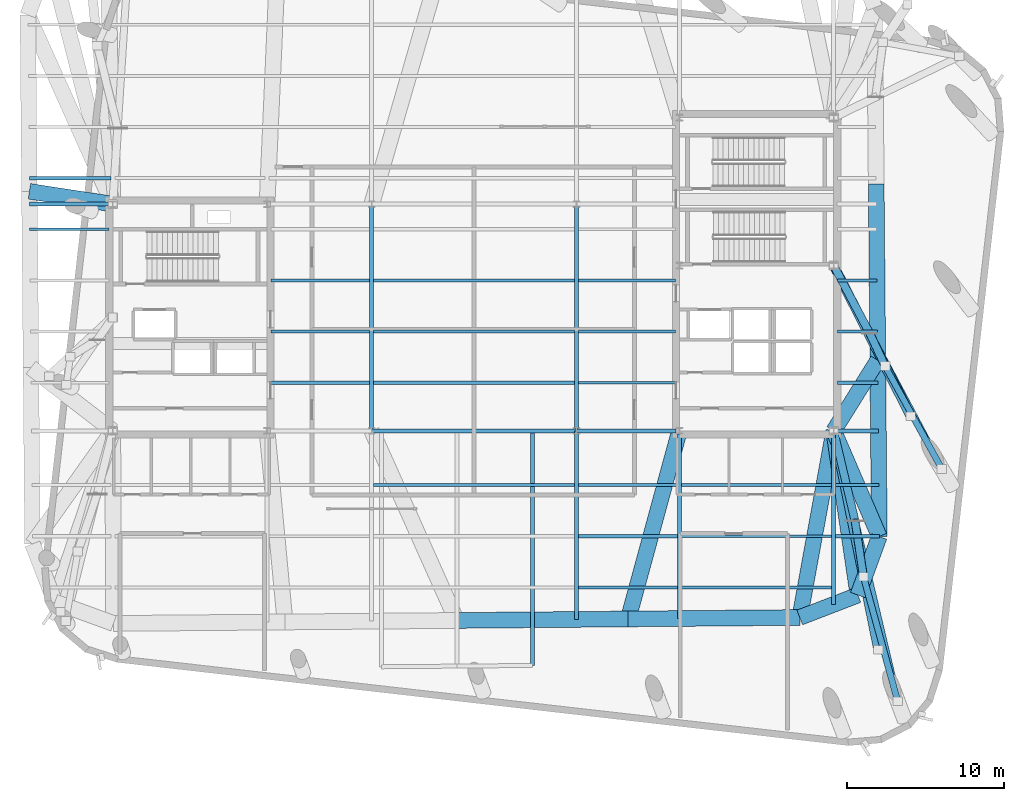
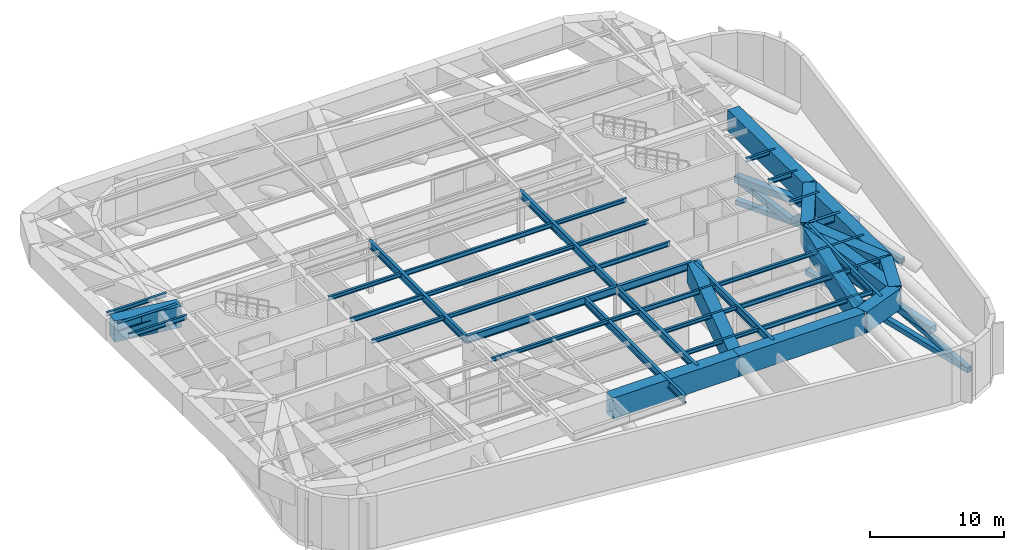
# One storey, part 4 of 12: 45 beams, 10 members.
"""IFC4 building model written with IfcOpenShell, lengths in metres."""

import ifcopenshell
import ifcopenshell.guid

model = None  # the IFC model being written
_history = None  # IfcOwnerHistory: only IFC2X3 demands one
_inside = {}  # id of a spatial element -> (the spatial element, [elements in it])
_under = {}  # id of a project, library or spatial element -> (it, [spatial elements below it])
_declared = {}  # id of a project -> (the project, [libraries it declares])
_typed = {}  # id of a type object -> (the type object, [elements of that type])
_made_of = {}  # id of a material, layer set ... -> (it, [elements and type objects made of it])


def new_model(schema):
    """Start an empty IFC model of exactly this schema.

    Asked for "IFC4X3", IfcOpenShell would pick the latest addendum, in which some entities
    have other attributes; the version numbers below select the first issue.
    IFC2X3 requires an IfcOwnerHistory on every rooted entity: one is made here for all.
    """
    global model, _history
    if schema == "IFC4X3":
        model = ifcopenshell.file(schema_version=(4, 3, 0, 0))
    else:
        model = ifcopenshell.file(schema=schema)
    _inside.clear()
    _under.clear()
    _declared.clear()
    _typed.clear()
    _made_of.clear()
    _history = None
    if model.schema == "IFC2X3":
        org = make("IfcOrganization", Name="unknown")
        user = make(
            "IfcPersonAndOrganization",
            ThePerson=make("IfcPerson", FamilyName="unknown"),
            TheOrganization=org,
        )
        app = make(
            "IfcApplication",
            ApplicationDeveloper=org,
            Version="unknown",
            ApplicationFullName="unknown",
            ApplicationIdentifier="unknown",
        )
        _history = make(
            "IfcOwnerHistory",
            OwningUser=user,
            OwningApplication=app,
            ChangeAction="ADDED",
            CreationDate=0,
        )
    return model


def make(cls, **values):
    """One entity of the class cls with the attributes given. An attribute that is None is left unset."""
    return model.create_entity(
        cls, **{name: value for name, value in values.items() if value is not None}
    )


def rooted(cls, **values):
    """An entity with a GlobalId (a new one), such as an element, a storey or a relation."""
    return make(cls, GlobalId=ifcopenshell.guid.new(), OwnerHistory=_history, **values)


def si_unit(unit_type, name, prefix=None):
    """IfcSIUnit, for example si_unit("LENGTHUNIT", "METRE", prefix="MILLI")."""
    return make("IfcSIUnit", UnitType=unit_type, Prefix=prefix, Name=name)


def assignment(units):
    """IfcUnitAssignment: the units of a project."""
    return None if units is None else make("IfcUnitAssignment", Units=units)


def point(xyz):
    """IfcCartesianPoint."""
    return None if xyz is None else make("IfcCartesianPoint", Coordinates=xyz)


def direction(xyz):
    """IfcDirection."""
    return None if xyz is None else make("IfcDirection", DirectionRatios=xyz)


def frame(location, z_axis=None, x_axis=None):
    """IfcAxis2Placement3D, a coordinate frame: its origin and axes. An axis left out is left unset."""
    return make(
        "IfcAxis2Placement3D",
        Location=point(location),
        Axis=direction(z_axis),
        RefDirection=direction(x_axis),
    )


def frame_2d(location, x_axis=None):
    """IfcAxis2Placement2D, a coordinate frame in the plane: its origin and x axis."""
    return make(
        "IfcAxis2Placement2D", Location=point(location), RefDirection=direction(x_axis)
    )


def origin():
    """The frame at (0, 0, 0) with its axes left unset."""
    return frame((0.0, 0.0, 0.0))


def origin_2d():
    """The frame at (0, 0) in the plane with its x axis left unset."""
    return frame_2d((0.0, 0.0))


def place(relative_to, where):
    """IfcLocalPlacement: puts the frame where relative to a parent placement (None: the world)."""
    return make(
        "IfcLocalPlacement", PlacementRelTo=relative_to, RelativePlacement=where
    )


def context(
    kind, dimensions, precision=None, world=None, true_north=None, identifier=None
):
    """IfcGeometricRepresentationContext, for example the 3D "Model" context."""
    return make(
        "IfcGeometricRepresentationContext",
        ContextIdentifier=identifier,
        ContextType=kind,
        CoordinateSpaceDimension=dimensions,
        Precision=precision,
        WorldCoordinateSystem=world,
        TrueNorth=true_north,
    )


def subcontext(parent, identifier, kind, view, scale=None):
    """IfcGeometricRepresentationSubContext, for example "Body" below "Model"."""
    return make(
        "IfcGeometricRepresentationSubContext",
        ContextIdentifier=identifier,
        ContextType=kind,
        ParentContext=parent,
        TargetScale=scale,
        TargetView=view,
    )


def project(units=None, contexts=None):
    """IfcProject with its units and contexts."""
    return rooted(
        "IfcProject",
        Name="project",
        RepresentationContexts=contexts,
        UnitsInContext=assignment(units),
    )


def spatial(cls, under=None, at=None, **own):
    """A site, building, storey or space (cls), placed at a placement, below another one or the project."""
    s = rooted(cls, ObjectPlacement=at, **own)
    if under is not None:
        _under.setdefault(under.id(), (under, []))[1].append(s)
    return s


def profile(cls, at=None, kind="AREA", **sizes):
    """A parametric profile (cls). Its sizes go by their IFC names, for example OverallWidth=200.0."""
    return make(cls, ProfileType=kind, Position=at, **sizes)


def hollow_rectangle(**sizes):
    """IfcRectangleHollowProfileDef."""
    return profile("IfcRectangleHollowProfileDef", **sizes)


def hollow_circle(**sizes):
    """IfcCircleHollowProfileDef."""
    return profile("IfcCircleHollowProfileDef", **sizes)


def i_section(**sizes):
    """IfcIShapeProfileDef."""
    return profile("IfcIShapeProfileDef", **sizes)


def extrude(swept, where, along, depth):
    """IfcExtrudedAreaSolid: the profile swept, set in the frame where, extruded along a direction by depth."""
    return make(
        "IfcExtrudedAreaSolid",
        SweptArea=swept,
        Position=where,
        ExtrudedDirection=direction(along),
        Depth=depth,
    )


def shape(context_of_items, identifier, shape_type, items):
    """IfcShapeRepresentation: the items that make up one representation, for example the "Body"."""
    return make(
        "IfcShapeRepresentation",
        ContextOfItems=context_of_items,
        RepresentationIdentifier=identifier,
        RepresentationType=shape_type,
        Items=items,
    )


def material(Name=None, Category=None):
    """IfcMaterial."""
    return make("IfcMaterial", Name=Name, Category=Category)


def material_profile(
    of_material, cross_section, Name=None, Category=None, Priority=None
):
    """IfcMaterialProfile: a cross section and its material."""
    return make(
        "IfcMaterialProfile",
        Name=Name,
        Material=of_material,
        Profile=cross_section,
        Priority=Priority,
        Category=Category,
    )


def profile_set(profiles, Name=None, composite=None):
    """IfcMaterialProfileSet."""
    return make(
        "IfcMaterialProfileSet",
        Name=Name,
        MaterialProfiles=profiles,
        CompositeProfile=composite,
    )


def made_of(thing, what):
    """Note that an element or type object is made of a material, layer set ...; save() writes the relation."""
    if what is not None:
        _made_of.setdefault(what.id(), (what, []))[1].append(thing)
    return thing


def type_object(cls, material=None, **own):
    """A type object (cls), such as IfcWallType, which elements share."""
    return made_of(rooted(cls, **own), material)


def element(
    cls,
    number,
    at=None,
    inside=None,
    cuts=None,
    type_object=None,
    material=None,
    context=None,
    identifier="Body",
    shape_type=None,
    held_by="IfcProductDefinitionShape",
    body=None,
    shapes=None,
    **own,
):
    """One element of the class cls, such as IfcWall. Its Tag is "e" and its number.

    at: its placement. inside: the storey or other place that contains it. cuts: it is an
    opening in that element (IfcRelVoidsElement). A single representation is given by context,
    identifier, shape_type and body (its items); several are given by shapes. held_by: the class
    of the entity that holds the representations. save() writes the other relations.
    """
    e = rooted(cls, Tag="e%d" % number, ObjectPlacement=at, **own)
    if body is not None:
        shapes = [shape(context, identifier, shape_type, body)]
    if shapes is not None:
        e.Representation = make(held_by, Representations=shapes)
    if inside is not None:
        _inside.setdefault(inside.id(), (inside, []))[1].append(e)
    if cuts is not None:
        rooted(
            "IfcRelVoidsElement", RelatingBuildingElement=cuts, RelatedOpeningElement=e
        )
    if type_object is not None:
        _typed.setdefault(type_object.id(), (type_object, []))[1].append(e)
    return made_of(e, material)


def aggregate(whole, parts):
    """IfcRelAggregates: a whole, such as a stair, and the parts it consists of."""
    return rooted("IfcRelAggregates", RelatingObject=whole, RelatedObjects=parts)


def save(model, path):
    """Write the relations noted so far, then the file.

    IfcRelAggregates (storeys below a building ...), IfcRelContainedInSpatialStructure (elements
    in a storey), IfcRelDefinesByType, IfcRelAssociatesMaterial and IfcRelDeclares: one each for
    every whole, place, type object, material and project.
    """
    for whole, parts in _under.values():
        aggregate(whole, parts)
    for where, things in _inside.values():
        rooted(
            "IfcRelContainedInSpatialStructure",
            RelatedElements=things,
            RelatingStructure=where,
        )
    for kind, things in _typed.values():
        rooted("IfcRelDefinesByType", RelatedObjects=things, RelatingType=kind)
    for what, things in _made_of.values():
        rooted("IfcRelAssociatesMaterial", RelatedObjects=things, RelatingMaterial=what)
    for by, libraries in _declared.values():
        rooted("IfcRelDeclares", RelatingContext=by, RelatedDefinitions=libraries)
    model.write(path)


model = new_model("IFC4")

# Units and contexts
model_context = context("Model", 3, precision=1e-05, world=origin(), true_north=direction((0.0, 1.0)))
body_context = subcontext(model_context, "Body", "Model", "MODEL_VIEW")
ifc_project = project(units=[si_unit("LENGTHUNIT", "METRE"), si_unit("AREAUNIT", "SQUARE_METRE"), si_unit("VOLUMEUNIT", "CUBIC_METRE"), si_unit("PLANEANGLEUNIT", "RADIAN"), si_unit("MASSUNIT", "GRAM", prefix="KILO")], contexts=[model_context])

# Site, building, storey
site_placement = place(None, origin())
site = spatial("IfcSite", under=ifc_project, at=site_placement, CompositionType="ELEMENT")
building_placement = place(site_placement, origin())
building = spatial("IfcBuilding", under=site, at=building_placement, Name="Kolvaren Arena Tower", CompositionType="ELEMENT")
storey_placement = place(building_placement, frame((0.0, 0.0, 269.699951171875)))
storey = spatial("IfcBuildingStorey", under=building, at=storey_placement, Name="L66", CompositionType="ELEMENT", Elevation=269.699951171875)

# Beams
ifc_material_1 = material(Name="Steel CSA G40.21 350W", Category="steel")
ifc_material_profile_1 = material_profile(ifc_material_1, i_section(OverallWidth=0.180908203125, OverallDepth=0.4169921875, WebThickness=0.010986328125, FlangeThickness=0.018310546875, FilletRadius=0.011962890625, at=origin_2d()), Name="W410x85")
ifc_profile_set_1 = profile_set([ifc_material_profile_1], Name="Steel CSA G40.21 350W")
beam_type_1 = type_object("IfcBeamType", Name="BEAM-F3", PredefinedType="BEAM", material=ifc_profile_set_1)
for number, where, z_axis, x_axis, name in (
    (1, (50.677490234375, 9.5, 4.54150390625), (1.0, 0.0, 0.0), (0.0, 1.0, 0.0), "Composite Floor Beam (L66)"),
    (2, (50.677490234375, 12.75, 4.54150390625), (1.0, 0.0, 0.0), (0.0, 1.0, 0.0), "Composite Floor Beam (L66)"),
):
    element("IfcBeam", number, at=place(storey_placement, frame(where, z_axis=z_axis, x_axis=x_axis)), inside=storey, type_object=beam_type_1, Name=name, PredefinedType="BEAM", context=body_context, shape_type="SweptSolid", body=[
        extrude(i_section(OverallWidth=0.180908203125, OverallDepth=0.4169921875, WebThickness=0.010986328125, FlangeThickness=0.018310546875, FilletRadius=0.011962890625, at=origin_2d()), origin(), (0.0, 0.0, 1.0), 9.544921875),
    ])
beam_1_placement = place(storey_placement, frame((44.12744140625, 16.0, 4.54150390625), z_axis=(1.0, 0.0, 0.0), x_axis=(0.0, 1.0, 0.0)))
element("IfcBeam", 3, at=beam_1_placement, inside=storey, type_object=beam_type_1, Name="Composite Floor Beam (L66)", PredefinedType="BEAM", context=body_context, shape_type="SweptSolid", body=[
    extrude(i_section(OverallWidth=0.180908203125, OverallDepth=0.4169921875, WebThickness=0.010986328125, FlangeThickness=0.018310546875, FilletRadius=0.011962890625, at=origin_2d()), origin(), (0.0, 0.0, 1.0), 6.295166015625),
])
beam_2_placement = place(storey_placement, frame((44.12744140625, 22.5, 4.54150390625), z_axis=(1.0, 0.0, 0.0), x_axis=(0.0, 1.0, 0.0)))
element("IfcBeam", 4, at=beam_2_placement, inside=storey, type_object=beam_type_1, Name="Composite Floor Beam (L66)", PredefinedType="BEAM", context=body_context, shape_type="SweptSolid", body=[
    extrude(i_section(OverallWidth=0.180908203125, OverallDepth=0.4169921875, WebThickness=0.010986328125, FlangeThickness=0.018310546875, FilletRadius=0.011962890625, at=origin_2d()), origin(), (0.0, 0.0, 1.0), 6.177490234375),
])
beam_3_placement = place(storey_placement, frame((24.594970703125, 25.75, 4.54150390625), z_axis=(1.0, 0.0, 0.0), x_axis=(0.0, 1.0, 0.0)))
element("IfcBeam", 5, at=beam_3_placement, inside=storey, type_object=beam_type_1, Name="Composite Floor Beam (L66)", PredefinedType="BEAM", context=body_context, shape_type="SweptSolid", body=[
    extrude(i_section(OverallWidth=0.180908203125, OverallDepth=0.4169921875, WebThickness=0.010986328125, FlangeThickness=0.018310546875, FilletRadius=0.011962890625, at=origin_2d()), origin(), (0.0, 0.0, 1.0), 6.277587890625),
])
beam_4_placement = place(storey_placement, frame((60.594970703125, 25.75, 4.54150390625), z_axis=(1.0, 0.0, 0.0), x_axis=(0.0, 1.0, 0.0)))
element("IfcBeam", 6, at=beam_4_placement, inside=storey, type_object=beam_type_1, Name="Composite Floor Beam (L66)", PredefinedType="BEAM", context=body_context, shape_type="SweptSolid", body=[
    extrude(i_section(OverallWidth=0.180908203125, OverallDepth=0.4169921875, WebThickness=0.010986328125, FlangeThickness=0.018310546875, FilletRadius=0.011962890625, at=origin_2d()), origin(), (0.0, 0.0, 1.0), 2.537109375),
])
beam_5_placement = place(storey_placement, frame((31.12744140625, 29.0, 4.54150390625), z_axis=(1.0, 0.0, 0.0), x_axis=(0.0, 1.0, 0.0)))
element("IfcBeam", 7, at=beam_5_placement, inside=storey, type_object=beam_type_1, Name="Composite Floor Beam (L66)", PredefinedType="BEAM", context=body_context, shape_type="SweptSolid", body=[
    extrude(i_section(OverallWidth=0.180908203125, OverallDepth=0.4169921875, WebThickness=0.010986328125, FlangeThickness=0.018310546875, FilletRadius=0.011962890625, at=origin_2d()), origin(), (0.0, 0.0, 1.0), 12.7451171875),
])
beam_6_placement = place(storey_placement, frame((9.273193359375, 32.25, 4.54150390625), z_axis=(1.0, 0.0, 0.0), x_axis=(0.0, 1.0, 0.0)))
element("IfcBeam", 8, at=beam_6_placement, inside=storey, type_object=beam_type_1, Name="Composite Floor Beam (L66)", PredefinedType="BEAM", context=body_context, shape_type="SweptSolid", body=[
    extrude(i_section(OverallWidth=0.180908203125, OverallDepth=0.4169921875, WebThickness=0.010986328125, FlangeThickness=0.018310546875, FilletRadius=0.011962890625, at=origin_2d()), origin(), (0.0, 0.0, 1.0), 5.03173828125),
])

# Members
ifc_material_2 = material(Name="Steel CSA G40.21 350WT", Category="steel")
ifc_material_profile_2 = material_profile(ifc_material_2, hollow_rectangle(XDim=0.449951171875, YDim=0.449951171875, WallThickness=0.02001953125, at=origin_2d()), Name="HSS 450x450x20")
ifc_profile_set_2 = profile_set([ifc_material_profile_2], Name="Steel CSA G40.21 350WT")
member_type_1 = type_object("IfcMemberType", Name="BELT-CHORD", PredefinedType="CHORD", material=ifc_profile_set_2)
member_1_placement = place(storey_placement, frame((60.35009765625, 19.449951171875, 0.35009765625), z_axis=(0.230134784583, -0.973158764501, 0.0), x_axis=(0.973158764501, 0.230134784583, 0.0)))
element("IfcMember", 9, at=member_1_placement, inside=storey, type_object=member_type_1, Name="Belt Truss Bottom Chord 3 (L66)", PredefinedType="CHORD", context=body_context, shape_type="SweptSolid", body=[
    extrude(hollow_rectangle(XDim=0.449951171875, YDim=0.449951171875, WallThickness=0.02001953125, at=origin_2d()), origin(), (0.0, 0.0, 1.0), 17.6494140625),
])
member_2_placement = place(storey_placement, frame((60.35009765625, 29.949951171875, 0.35009765625), z_axis=(0.469300349704, -0.883038607179, 0.0), x_axis=(0.883038607179, 0.469300349704, 0.0)))
element("IfcMember", 10, at=member_2_placement, inside=storey, type_object=member_type_1, Name="Belt Truss Bottom Chord 6 (L66)", PredefinedType="CHORD", context=body_context, shape_type="SweptSolid", body=[
    extrude(hollow_rectangle(XDim=0.449951171875, YDim=0.449951171875, WallThickness=0.02001953125, at=origin_2d()), origin(), (0.0, 0.0, 1.0), 14.636474609375),
])
ifc_material_profile_3 = material_profile(ifc_material_2, hollow_rectangle(XDim=0.39990234375, YDim=0.39990234375, WallThickness=0.01611328125, at=origin_2d()), Name="HSS 400x400x16")
ifc_profile_set_3 = profile_set([ifc_material_profile_3], Name="Steel CSA G40.21 350WT")
member_type_2 = type_object("IfcMemberType", Name="BELT-DIAG", PredefinedType="BRACE", material=ifc_profile_set_3)
member_3_placement = place(storey_placement, frame((62.242919921875, 10.1748046875, 2.47998046875), z_axis=(0.256216983833, -0.933300069094, -0.25160254018), x_axis=(0.964321673153, 0.26473328217, 0.0)))
element("IfcMember", 11, at=member_3_placement, inside=storey, type_object=member_type_2, Name="Belt Truss Warren Diagonal C 3 (L66)", PredefinedType="BRACE", context=body_context, shape_type="SweptSolid", body=[
    extrude(hollow_rectangle(XDim=0.39990234375, YDim=0.39990234375, WallThickness=0.01611328125, at=origin_2d()), origin(), (0.0, 0.0, 1.0), 8.46533203125),
])
member_4_placement = place(storey_placement, frame((63.615478515625, 23.5634765625, 2.47998046875), z_axis=(0.464175231481, -0.842182432185, -0.274353978282), x_axis=(0.875787473245, 0.482696904597, 0.0)))
element("IfcMember", 12, at=member_4_placement, inside=storey, type_object=member_type_2, Name="Belt Truss Warren Diagonal C 6 (L66)", PredefinedType="BRACE", context=body_context, shape_type="SweptSolid", body=[
    extrude(hollow_rectangle(XDim=0.39990234375, YDim=0.39990234375, WallThickness=0.01611328125, at=origin_2d()), origin(), (0.0, 0.0, 1.0), 7.76318359375),
])
ifc_material_profile_4 = material_profile(ifc_material_2, hollow_circle(Radius=0.25390625, WallThickness=0.02490234375, at=origin_2d()), Name="CHS 508x25")
ifc_profile_set_4 = profile_set([ifc_material_profile_4], Name="Steel CSA G40.21 350WT")
member_type_3 = type_object("IfcMemberType", Name="EXO-BRACE1", PredefinedType="BRACE", material=ifc_profile_set_4)
member_5_placement = place(storey_placement, frame((61.7041015625, 13.724609375, 0.35009765625), z_axis=(0.12906860358, -0.850320569122, 0.510192341473), x_axis=(0.988675488767, 0.150069243721, 0.0)))
element("IfcMember", 13, at=member_5_placement, inside=storey, type_object=member_type_3, Name="Outrigger Warren Diagonal B 3 (L66)", PredefinedType="BRACE", context=body_context, shape_type="SweptSolid", body=[
    extrude(hollow_circle(Radius=0.25390625, WallThickness=0.02490234375, at=origin_2d()), origin(), (0.0, 0.0, 1.0), 4.174560546875),
])
member_6_placement = place(storey_placement, frame((62.6396484375, 25.641845703125, 0.35009765625), z_axis=(0.311586146159, -0.663630938766, 0.680079444355), x_axis=(0.905191866445, 0.42500315872, 0.0)))
element("IfcMember", 14, at=member_6_placement, inside=storey, type_object=member_type_3, Name="Outrigger Warren Diagonal B 6 (L66)", PredefinedType="BRACE", context=body_context, shape_type="SweptSolid", body=[
    extrude(hollow_circle(Radius=0.25390625, WallThickness=0.02490234375, at=origin_2d()), origin(), (0.0, 0.0, 1.0), 3.1318359375),
])

# Beams
ifc_material_profile_5 = material_profile(ifc_material_1, i_section(OverallWidth=0.2548828125, OverallDepth=0.695068359375, WebThickness=0.01708984375, FlangeThickness=0.02978515625, FilletRadius=0.01611328125, at=origin_2d()), Name="W690x217")
ifc_profile_set_5 = profile_set([ifc_material_profile_5], Name="Steel CSA G40.21 350W")
beam_type_2 = type_object("IfcBeamType", Name="GIRD-T2", PredefinedType="BEAM", material=ifc_profile_set_5)
beam_7_placement = place(storey_placement, frame((31.0, 19.449951171875, 4.402587890625), z_axis=(1.0, 0.0, 0.0), x_axis=(0.0, 1.0, 0.0)))
element("IfcBeam", 15, at=beam_7_placement, inside=storey, type_object=beam_type_2, Name="Primary Floor Girder (L66)", PredefinedType="BEAM", context=body_context, shape_type="SweptSolid", body=[
    extrude(i_section(OverallWidth=0.2548828125, OverallDepth=0.695068359375, WebThickness=0.01708984375, FlangeThickness=0.02978515625, FilletRadius=0.01611328125, at=origin_2d()), origin(), (0.0, 0.0, 1.0), 13.0),
])
beam_8_placement = place(storey_placement, frame((44.0, 19.449951171875, 4.402587890625), z_axis=(1.0, 0.0, 0.0), x_axis=(0.0, 1.0, 0.0)))
element("IfcBeam", 16, at=beam_8_placement, inside=storey, type_object=beam_type_2, Name="Primary Floor Girder (L66)", PredefinedType="BEAM", context=body_context, shape_type="SweptSolid", body=[
    extrude(i_section(OverallWidth=0.2548828125, OverallDepth=0.695068359375, WebThickness=0.01708984375, FlangeThickness=0.02978515625, FilletRadius=0.01611328125, at=origin_2d()), origin(), (0.0, 0.0, 1.0), 6.344970703125),
])
beam_9_placement = place(storey_placement, frame((60.554931640625, 19.449951171875, 4.402587890625), z_axis=(1.0, 0.0, 0.0), x_axis=(0.0, 1.0, 0.0)))
element("IfcBeam", 17, at=beam_9_placement, inside=storey, type_object=beam_type_2, Name="Primary Floor Girder (L66)", PredefinedType="BEAM", context=body_context, shape_type="SweptSolid", body=[
    extrude(i_section(OverallWidth=0.2548828125, OverallDepth=0.695068359375, WebThickness=0.01708984375, FlangeThickness=0.02978515625, FilletRadius=0.01611328125, at=origin_2d()), origin(), (0.0, 0.0, 1.0), 2.632080078125),
])
beam_10_placement = place(storey_placement, frame((9.25927734375, 33.85009765625, 4.402587890625), z_axis=(1.0, 0.0, 0.0), x_axis=(0.0, 1.0, 0.0)))
element("IfcBeam", 18, at=beam_10_placement, inside=storey, type_object=beam_type_2, Name="Primary Floor Girder (L66)", PredefinedType="BEAM", context=body_context, shape_type="SweptSolid", body=[
    extrude(i_section(OverallWidth=0.2548828125, OverallDepth=0.695068359375, WebThickness=0.01708984375, FlangeThickness=0.02978515625, FilletRadius=0.01611328125, at=origin_2d()), origin(), (0.0, 0.0, 1.0), 5.085693359375),
])
beam_11_placement = place(storey_placement, frame((31.0, 19.449951171875, 4.402587890625), z_axis=(0.0, 1.0, 0.0), x_axis=(-1.0, 0.0, 0.0)))
element("IfcBeam", 19, at=beam_11_placement, inside=storey, type_object=beam_type_2, Name="Primary Floor Girder (L66)", PredefinedType="BEAM", context=body_context, shape_type="SweptSolid", body=[
    extrude(i_section(OverallWidth=0.2548828125, OverallDepth=0.695068359375, WebThickness=0.01708984375, FlangeThickness=0.02978515625, FilletRadius=0.01611328125, at=origin_2d()), origin(), (0.0, 0.0, 1.0), 14.400146484375),
])
beam_12_placement = place(storey_placement, frame((44.0, 7.46728515625, 4.402587890625), z_axis=(0.0, 1.0, 0.0), x_axis=(-1.0, 0.0, 0.0)))
element("IfcBeam", 20, at=beam_12_placement, inside=storey, type_object=beam_type_2, Name="Primary Floor Girder (L66)", PredefinedType="BEAM", context=body_context, shape_type="SweptSolid", body=[
    extrude(i_section(OverallWidth=0.2548828125, OverallDepth=0.695068359375, WebThickness=0.01708984375, FlangeThickness=0.02978515625, FilletRadius=0.01611328125, at=origin_2d()), origin(), (0.0, 0.0, 1.0), 11.982666015625),
])
beam_13_placement = place(storey_placement, frame((44.0, 19.449951171875, 4.402587890625), z_axis=(0.0, 1.0, 0.0), x_axis=(-1.0, 0.0, 0.0)))
element("IfcBeam", 21, at=beam_13_placement, inside=storey, type_object=beam_type_2, Name="Primary Floor Girder (L66)", PredefinedType="BEAM", context=body_context, shape_type="SweptSolid", body=[
    extrude(i_section(OverallWidth=0.2548828125, OverallDepth=0.695068359375, WebThickness=0.01708984375, FlangeThickness=0.02978515625, FilletRadius=0.01611328125, at=origin_2d()), origin(), (0.0, 0.0, 1.0), 14.400146484375),
])
beam_14_placement = place(storey_placement, frame((50.550048828125, 7.5244140625, 4.402587890625), z_axis=(0.0, 1.0, 0.0), x_axis=(-1.0, 0.0, 0.0)))
element("IfcBeam", 22, at=beam_14_placement, inside=storey, type_object=beam_type_2, Name="Primary Floor Girder (L66)", PredefinedType="BEAM", context=body_context, shape_type="SweptSolid", body=[
    extrude(i_section(OverallWidth=0.2548828125, OverallDepth=0.695068359375, WebThickness=0.01708984375, FlangeThickness=0.02978515625, FilletRadius=0.01611328125, at=origin_2d()), origin(), (0.0, 0.0, 1.0), 11.720703125),
])
beam_15_placement = place(storey_placement, frame((60.35009765625, 8.4228515625, 4.402587890625), z_axis=(0.0, 1.0, 0.0), x_axis=(-1.0, 0.0, 0.0)))
element("IfcBeam", 23, at=beam_15_placement, inside=storey, type_object=beam_type_2, Name="Primary Floor Girder (L66)", PredefinedType="BEAM", context=body_context, shape_type="SweptSolid", body=[
    extrude(i_section(OverallWidth=0.2548828125, OverallDepth=0.695068359375, WebThickness=0.01708984375, FlangeThickness=0.02978515625, FilletRadius=0.01611328125, at=origin_2d()), origin(), (0.0, 0.0, 1.0), 10.822265625),
])
beam_16_placement = place(storey_placement, frame((41.21630859375, 19.449951171875, 4.402587890625), z_axis=(0.0, -1.0, 0.0), x_axis=(1.0, 0.0, 0.0)))
element("IfcBeam", 24, at=beam_16_placement, inside=storey, type_object=beam_type_2, Name="Terrace Cantilever Support Girder (L67)", PredefinedType="BEAM", context=body_context, shape_type="SweptSolid", body=[
    extrude(i_section(OverallWidth=0.2548828125, OverallDepth=0.695068359375, WebThickness=0.01708984375, FlangeThickness=0.02978515625, FilletRadius=0.01611328125, at=origin_2d()), origin(), (0.0, 0.0, 1.0), 14.9072265625),
])
ifc_material_profile_6 = material_profile(ifc_material_1, i_section(OverallWidth=0.202880859375, OverallDepth=0.346923828125, WebThickness=0.0078125, FlangeThickness=0.013427734375, FilletRadius=0.010986328125, at=origin_2d()), Name="W360x64")
ifc_profile_set_6 = profile_set([ifc_material_profile_6], Name="Steel CSA G40.21 350W")
beam_type_3 = type_object("IfcBeamType", Name="JOIST-01", PredefinedType="JOIST", material=ifc_profile_set_6)
for number, where, z_axis, x_axis, name in (
    (25, (44.12744140625, 9.5, 4.57666015625), (1.0, 0.0, 0.0), (0.0, 1.0, 0.0), "Composite Floor Joist (L66)"),
    (26, (44.12744140625, 12.75, 4.57666015625), (1.0, 0.0, 0.0), (0.0, 1.0, 0.0), "Composite Floor Joist (L66)"),
):
    element("IfcBeam", number, at=place(storey_placement, frame(where, z_axis=z_axis, x_axis=x_axis)), inside=storey, type_object=beam_type_3, Name=name, PredefinedType="JOIST", context=body_context, shape_type="SweptSolid", body=[
        extrude(i_section(OverallWidth=0.202880859375, OverallDepth=0.346923828125, WebThickness=0.0078125, FlangeThickness=0.013427734375, FilletRadius=0.010986328125, at=origin_2d()), origin(), (0.0, 0.0, 1.0), 6.295166015625),
    ])
beam_17_placement = place(storey_placement, frame((60.4775390625, 12.75, 4.57666015625), z_axis=(1.0, 0.0, 0.0), x_axis=(0.0, 1.0, 0.0)))
element("IfcBeam", 27, at=beam_17_placement, inside=storey, type_object=beam_type_3, Name="Composite Floor Joist (L66)", PredefinedType="JOIST", context=body_context, shape_type="SweptSolid", body=[
    extrude(i_section(OverallWidth=0.202880859375, OverallDepth=0.346923828125, WebThickness=0.0078125, FlangeThickness=0.013427734375, FilletRadius=0.010986328125, at=origin_2d()), origin(), (0.0, 0.0, 1.0), 2.76806640625),
])
beam_18_placement = place(storey_placement, frame((31.12744140625, 16.0, 4.57666015625), z_axis=(1.0, 0.0, 0.0), x_axis=(0.0, 1.0, 0.0)))
element("IfcBeam", 28, at=beam_18_placement, inside=storey, type_object=beam_type_3, Name="Composite Floor Joist (L66)", PredefinedType="JOIST", context=body_context, shape_type="SweptSolid", body=[
    extrude(i_section(OverallWidth=0.202880859375, OverallDepth=0.346923828125, WebThickness=0.0078125, FlangeThickness=0.013427734375, FilletRadius=0.010986328125, at=origin_2d()), origin(), (0.0, 0.0, 1.0), 12.7451171875),
])
beam_19_placement = place(storey_placement, frame((50.677490234375, 16.0, 4.57666015625), z_axis=(1.0, 0.0, 0.0), x_axis=(0.0, 1.0, 0.0)))
element("IfcBeam", 29, at=beam_19_placement, inside=storey, type_object=beam_type_3, Name="Composite Floor Joist (L66)", PredefinedType="JOIST", context=body_context, shape_type="SweptSolid", body=[
    extrude(i_section(OverallWidth=0.202880859375, OverallDepth=0.346923828125, WebThickness=0.0078125, FlangeThickness=0.013427734375, FilletRadius=0.010986328125, at=origin_2d()), origin(), (0.0, 0.0, 1.0), 9.544921875),
])
beam_20_placement = place(storey_placement, frame((60.4775390625, 16.0, 4.57666015625), z_axis=(1.0, 0.0, 0.0), x_axis=(0.0, 1.0, 0.0)))
element("IfcBeam", 30, at=beam_20_placement, inside=storey, type_object=beam_type_3, Name="Composite Floor Joist (L66)", PredefinedType="JOIST", context=body_context, shape_type="SweptSolid", body=[
    extrude(i_section(OverallWidth=0.202880859375, OverallDepth=0.346923828125, WebThickness=0.0078125, FlangeThickness=0.013427734375, FilletRadius=0.010986328125, at=origin_2d()), origin(), (0.0, 0.0, 1.0), 2.739501953125),
])
beam_21_placement = place(storey_placement, frame((24.594970703125, 22.5, 4.57666015625), z_axis=(1.0, 0.0, 0.0), x_axis=(0.0, 1.0, 0.0)))
element("IfcBeam", 31, at=beam_21_placement, inside=storey, type_object=beam_type_3, Name="Composite Floor Joist (L66)", PredefinedType="JOIST", context=body_context, shape_type="SweptSolid", body=[
    extrude(i_section(OverallWidth=0.202880859375, OverallDepth=0.346923828125, WebThickness=0.0078125, FlangeThickness=0.013427734375, FilletRadius=0.010986328125, at=origin_2d()), origin(), (0.0, 0.0, 1.0), 6.277587890625),
])
beam_22_placement = place(storey_placement, frame((31.12744140625, 22.5, 4.57666015625), z_axis=(1.0, 0.0, 0.0), x_axis=(0.0, 1.0, 0.0)))
element("IfcBeam", 32, at=beam_22_placement, inside=storey, type_object=beam_type_3, Name="Composite Floor Joist (L66)", PredefinedType="JOIST", context=body_context, shape_type="SweptSolid", body=[
    extrude(i_section(OverallWidth=0.202880859375, OverallDepth=0.346923828125, WebThickness=0.0078125, FlangeThickness=0.013427734375, FilletRadius=0.010986328125, at=origin_2d()), origin(), (0.0, 0.0, 1.0), 12.7451171875),
])
beam_23_placement = place(storey_placement, frame((60.594970703125, 22.5, 4.57666015625), z_axis=(1.0, 0.0, 0.0), x_axis=(0.0, 1.0, 0.0)))
element("IfcBeam", 33, at=beam_23_placement, inside=storey, type_object=beam_type_3, Name="Composite Floor Joist (L66)", PredefinedType="JOIST", context=body_context, shape_type="SweptSolid", body=[
    extrude(i_section(OverallWidth=0.202880859375, OverallDepth=0.346923828125, WebThickness=0.0078125, FlangeThickness=0.013427734375, FilletRadius=0.010986328125, at=origin_2d()), origin(), (0.0, 0.0, 1.0), 2.5654296875),
])
beam_24_placement = place(storey_placement, frame((31.12744140625, 25.75, 4.57666015625), z_axis=(1.0, 0.0, 0.0), x_axis=(0.0, 1.0, 0.0)))
element("IfcBeam", 34, at=beam_24_placement, inside=storey, type_object=beam_type_3, Name="Composite Floor Joist (L66)", PredefinedType="JOIST", context=body_context, shape_type="SweptSolid", body=[
    extrude(i_section(OverallWidth=0.202880859375, OverallDepth=0.346923828125, WebThickness=0.0078125, FlangeThickness=0.013427734375, FilletRadius=0.010986328125, at=origin_2d()), origin(), (0.0, 0.0, 1.0), 12.7451171875),
])
beam_25_placement = place(storey_placement, frame((44.12744140625, 25.75, 4.57666015625), z_axis=(1.0, 0.0, 0.0), x_axis=(0.0, 1.0, 0.0)))
element("IfcBeam", 35, at=beam_25_placement, inside=storey, type_object=beam_type_3, Name="Composite Floor Joist (L66)", PredefinedType="JOIST", context=body_context, shape_type="SweptSolid", body=[
    extrude(i_section(OverallWidth=0.202880859375, OverallDepth=0.346923828125, WebThickness=0.0078125, FlangeThickness=0.013427734375, FilletRadius=0.010986328125, at=origin_2d()), origin(), (0.0, 0.0, 1.0), 6.177490234375),
])
beam_26_placement = place(storey_placement, frame((24.594970703125, 29.0, 4.57666015625), z_axis=(1.0, 0.0, 0.0), x_axis=(0.0, 1.0, 0.0)))
element("IfcBeam", 36, at=beam_26_placement, inside=storey, type_object=beam_type_3, Name="Composite Floor Joist (L66)", PredefinedType="JOIST", context=body_context, shape_type="SweptSolid", body=[
    extrude(i_section(OverallWidth=0.202880859375, OverallDepth=0.346923828125, WebThickness=0.0078125, FlangeThickness=0.013427734375, FilletRadius=0.010986328125, at=origin_2d()), origin(), (0.0, 0.0, 1.0), 6.277587890625),
])
beam_27_placement = place(storey_placement, frame((44.12744140625, 29.0, 4.57666015625), z_axis=(1.0, 0.0, 0.0), x_axis=(0.0, 1.0, 0.0)))
element("IfcBeam", 37, at=beam_27_placement, inside=storey, type_object=beam_type_3, Name="Composite Floor Joist (L66)", PredefinedType="JOIST", context=body_context, shape_type="SweptSolid", body=[
    extrude(i_section(OverallWidth=0.202880859375, OverallDepth=0.346923828125, WebThickness=0.0078125, FlangeThickness=0.013427734375, FilletRadius=0.010986328125, at=origin_2d()), origin(), (0.0, 0.0, 1.0), 6.177490234375),
])
beam_28_placement = place(storey_placement, frame((60.594970703125, 29.0, 4.57666015625), z_axis=(1.0, 0.0, 0.0), x_axis=(0.0, 1.0, 0.0)))
element("IfcBeam", 38, at=beam_28_placement, inside=storey, type_object=beam_type_3, Name="Composite Floor Joist (L66)", PredefinedType="JOIST", context=body_context, shape_type="SweptSolid", body=[
    extrude(i_section(OverallWidth=0.202880859375, OverallDepth=0.346923828125, WebThickness=0.0078125, FlangeThickness=0.013427734375, FilletRadius=0.010986328125, at=origin_2d()), origin(), (0.0, 0.0, 1.0), 2.508544921875),
])
beam_29_placement = place(storey_placement, frame((9.244873046875, 35.5, 4.57666015625), z_axis=(1.0, 0.0, 0.0), x_axis=(0.0, 1.0, 0.0)))
element("IfcBeam", 39, at=beam_29_placement, inside=storey, type_object=beam_type_3, Name="Composite Floor Joist (L66)", PredefinedType="JOIST", context=body_context, shape_type="SweptSolid", body=[
    extrude(i_section(OverallWidth=0.202880859375, OverallDepth=0.346923828125, WebThickness=0.0078125, FlangeThickness=0.013427734375, FilletRadius=0.010986328125, at=origin_2d()), origin(), (0.0, 0.0, 1.0), 5.177734375),
])

# Members
ifc_material_profile_7 = material_profile(ifc_material_2, hollow_rectangle(XDim=0.60009765625, YDim=0.60009765625, WallThickness=0.02490234375, at=origin_2d()), Name="HSS 600x600x25")
ifc_profile_set_7 = profile_set([ifc_material_profile_7], Name="Steel CSA G40.21 350WT")
member_type_4 = type_object("IfcMemberType", Name="OUT-CHORD", PredefinedType="CHORD", material=ifc_profile_set_7)
member_7_placement = place(storey_placement, frame((60.35009765625, 19.449951171875, 2.47998046875), z_axis=(0.199960011996, -0.97980405878, 0.0), x_axis=(0.97980405878, 0.199960011996, 0.0)))
element("IfcMember", 40, at=member_7_placement, inside=storey, type_object=member_type_4, Name="Outrigger Top Chord 3 (L66)", PredefinedType="CHORD", context=body_context, shape_type="SweptSolid", body=[
    extrude(hollow_rectangle(XDim=0.60009765625, YDim=0.60009765625, WallThickness=0.02490234375, at=origin_2d()), origin(), (0.0, 0.0, 1.0), 14.19970703125),
])
member_8_placement = place(storey_placement, frame((60.35009765625, 29.949951171875, 2.47998046875), z_axis=(0.455237395655, -0.890370099227, 0.0), x_axis=(0.890370099227, 0.455237395655, 0.0)))
element("IfcMember", 41, at=member_8_placement, inside=storey, type_object=member_type_4, Name="Outrigger Top Chord 6 (L66)", PredefinedType="CHORD", context=body_context, shape_type="SweptSolid", body=[
    extrude(hollow_rectangle(XDim=0.60009765625, YDim=0.60009765625, WallThickness=0.02490234375, at=origin_2d()), origin(), (0.0, 0.0, 1.0), 10.759033203125),
])
ifc_material_profile_8 = material_profile(ifc_material_2, hollow_rectangle(XDim=0.5, YDim=0.5, WallThickness=0.02197265625, at=origin_2d()), Name="HSS 500x500x22")
ifc_profile_set_8 = profile_set([ifc_material_profile_8], Name="Steel CSA G40.21 350WT")
member_type_5 = type_object("IfcMemberType", Name="OUT-DIAG", PredefinedType="BRACE", material=ifc_profile_set_8)
member_9_placement = place(storey_placement, frame((60.35009765625, 19.449951171875, 2.47998046875), z_axis=(0.216400422785, -0.915039003738, -0.340403405766), x_axis=(0.973156399156, 0.230144786564, 0.0)))
element("IfcMember", 42, at=member_9_placement, inside=storey, type_object=member_type_5, Name="Outrigger Warren Diagonal A 3 (L66)", PredefinedType="BRACE", context=body_context, shape_type="SweptSolid", body=[
    extrude(hollow_rectangle(XDim=0.5, YDim=0.5, WallThickness=0.02197265625, at=origin_2d()), origin(), (0.0, 0.0, 1.0), 6.2568359375),
])
member_10_placement = place(storey_placement, frame((60.35009765625, 29.949951171875, 2.47998046875), z_axis=(0.430094634773, -0.809282355002, -0.400100831069), x_axis=(0.883041846004, 0.469294255459, 0.0)))
element("IfcMember", 43, at=member_10_placement, inside=storey, type_object=member_type_5, Name="Outrigger Warren Diagonal A 6 (L66)", PredefinedType="BRACE", context=body_context, shape_type="SweptSolid", body=[
    extrude(hollow_rectangle(XDim=0.5, YDim=0.5, WallThickness=0.02197265625, at=origin_2d()), origin(), (0.0, 0.0, 1.0), 5.323486328125),
])

# Beams
ifc_material_profile_9 = material_profile(ifc_material_2, hollow_rectangle(XDim=1.0, YDim=1.919921875, WallThickness=0.044921875, at=origin_2d()), Name="BOX 1000x1920x45")
ifc_profile_set_9 = profile_set([ifc_material_profile_9], Name="Steel CSA G40.21 350WT")
beam_type_4 = type_object("IfcBeamType", Name="TG-MEGA", PredefinedType="USERDEFINED", material=ifc_profile_set_9)
beam_30_placement = place(storey_placement, frame((36.39111328125, 7.40087890625, 3.7900390625), z_axis=(0.999961846999, 0.008735247404, 0.0), x_axis=(-0.008735247404, 0.999961846999, 0.0)))
element("IfcBeam", 44, at=beam_30_placement, inside=storey, type_object=beam_type_4, Name="Perimeter Transfer Ring Girder 03 (L66)", ObjectType="TRANSFER GIRDER", PredefinedType="USERDEFINED", context=body_context, shape_type="SweptSolid", body=[
    extrude(hollow_rectangle(XDim=1.0, YDim=1.919921875, WallThickness=0.044921875, at=origin_2d()), origin(), (0.0, 0.0, 1.0), 10.900146484375),
])
beam_31_placement = place(storey_placement, frame((47.290771484375, 7.49609375, 3.7900390625), z_axis=(0.999962040693, 0.008713046184, 0.0), x_axis=(-0.008713046184, 0.999962040693, 0.0)))
element("IfcBeam", 45, at=beam_31_placement, inside=storey, type_object=beam_type_4, Name="Perimeter Transfer Ring Girder 04 (L66)", ObjectType="TRANSFER GIRDER", PredefinedType="USERDEFINED", context=body_context, shape_type="SweptSolid", body=[
    extrude(hollow_rectangle(XDim=1.0, YDim=1.919921875, WallThickness=0.044921875, at=origin_2d()), origin(), (0.0, 0.0, 1.0), 10.89990234375),
])
beam_32_placement = place(storey_placement, frame((47.290771484375, 7.49609375, 3.7900390625), z_axis=(0.26305238101, 0.964781552915, 0.0), x_axis=(-0.964781552915, 0.26305238101, 0.0)))
element("IfcBeam", 46, at=beam_32_placement, inside=storey, type_object=beam_type_4, Name="Cantilever Block Transfer Girder 04 (L66)", ObjectType="TRANSFER GIRDER", PredefinedType="USERDEFINED", context=body_context, shape_type="SweptSolid", body=[
    extrude(hollow_rectangle(XDim=1.0, YDim=1.919921875, WallThickness=0.044921875, at=origin_2d()), origin(), (0.0, 0.0, 1.0), 12.39013671875),
])
beam_33_placement = place(storey_placement, frame((58.190185546875, 7.591064453125, 3.7900390625), z_axis=(0.933189846698, 0.359383792094, 0.0), x_axis=(-0.359383792094, 0.933189846698, 0.0)))
element("IfcBeam", 47, at=beam_33_placement, inside=storey, type_object=beam_type_4, Name="Perimeter Transfer Ring Girder 05 (L66)", ObjectType="TRANSFER GIRDER", PredefinedType="USERDEFINED", context=body_context, shape_type="SweptSolid", body=[
    extrude(hollow_rectangle(XDim=1.0, YDim=1.919921875, WallThickness=0.044921875, at=origin_2d()), origin(), (0.0, 0.0, 1.0), 3.961181640625),
])
beam_34_placement = place(storey_placement, frame((58.190185546875, 7.591064453125, 3.7900390625), z_axis=(0.179186646478, 0.983815097325, 0.0), x_axis=(-0.983815097325, 0.179186646478, 0.0)))
element("IfcBeam", 48, at=beam_34_placement, inside=storey, type_object=beam_type_4, Name="Cantilever Block Transfer Girder 05 (L66)", ObjectType="TRANSFER GIRDER", PredefinedType="USERDEFINED", context=body_context, shape_type="SweptSolid", body=[
    extrude(hollow_rectangle(XDim=1.0, YDim=1.919921875, WallThickness=0.044921875, at=origin_2d()), origin(), (0.0, 0.0, 1.0), 12.053955078125),
])
beam_35_placement = place(storey_placement, frame((61.88671875, 9.0146484375, 3.7900390625), z_axis=(0.343059102458, 0.939313819882, 0.0), x_axis=(-0.939313819882, 0.343059102458, 0.0)))
element("IfcBeam", 49, at=beam_35_placement, inside=storey, type_object=beam_type_4, Name="Perimeter Transfer Ring Girder 06 (L66)", ObjectType="TRANSFER GIRDER", PredefinedType="USERDEFINED", context=body_context, shape_type="SweptSolid", body=[
    extrude(hollow_rectangle(XDim=1.0, YDim=1.919921875, WallThickness=0.044921875, at=origin_2d()), origin(), (0.0, 0.0, 1.0), 3.961181640625),
])
beam_36_placement = place(storey_placement, frame((61.88671875, 9.0146484375, 3.7900390625), z_axis=(-0.145681233744, 0.989331581491, 0.0), x_axis=(-0.989331581491, -0.145681233744, 0.0)))
element("IfcBeam", 50, at=beam_36_placement, inside=storey, type_object=beam_type_4, Name="Cantilever Block Transfer Girder 06 (L66)", ObjectType="TRANSFER GIRDER", PredefinedType="USERDEFINED", context=body_context, shape_type="SweptSolid", body=[
    extrude(hollow_rectangle(XDim=1.0, YDim=1.919921875, WallThickness=0.044921875, at=origin_2d()), origin(), (0.0, 0.0, 1.0), 10.5478515625),
])
beam_37_placement = place(storey_placement, frame((63.24560546875, 12.7353515625, 3.7900390625), z_axis=(-0.008741001013, 0.999961796721, 0.0), x_axis=(-0.999961796721, -0.008741001013, 0.0)))
element("IfcBeam", 51, at=beam_37_placement, inside=storey, type_object=beam_type_4, Name="Perimeter Transfer Ring Girder 07 (L66)", ObjectType="TRANSFER GIRDER", PredefinedType="USERDEFINED", context=body_context, shape_type="SweptSolid", body=[
    extrude(hollow_rectangle(XDim=1.0, YDim=1.919921875, WallThickness=0.044921875, at=origin_2d()), origin(), (0.0, 0.0, 1.0), 11.2001953125),
])
beam_38_placement = place(storey_placement, frame((63.24560546875, 12.7353515625, 3.7900390625), z_axis=(-0.395977406439, 0.918260253735, 0.0), x_axis=(-0.918260253735, -0.395977406439, 0.0)))
element("IfcBeam", 52, at=beam_38_placement, inside=storey, type_object=beam_type_4, Name="Cantilever Block Transfer Girder 07 (L66)", ObjectType="TRANSFER GIRDER", PredefinedType="USERDEFINED", context=body_context, shape_type="SweptSolid", body=[
    extrude(hollow_rectangle(XDim=1.0, YDim=1.919921875, WallThickness=0.044921875, at=origin_2d()), origin(), (0.0, 0.0, 1.0), 7.312255859375),
])
beam_39_placement = place(storey_placement, frame((63.147705078125, 23.93505859375, 3.7900390625), z_axis=(-0.008719394723, 0.999961985355, 0.0), x_axis=(-0.999961985355, -0.008719394723, 0.0)))
element("IfcBeam", 53, at=beam_39_placement, inside=storey, type_object=beam_type_4, Name="Perimeter Transfer Ring Girder 08 (L66)", ObjectType="TRANSFER GIRDER", PredefinedType="USERDEFINED", context=body_context, shape_type="SweptSolid", body=[
    extrude(hollow_rectangle(XDim=1.0, YDim=1.919921875, WallThickness=0.044921875, at=origin_2d()), origin(), (0.0, 0.0, 1.0), 11.199951171875),
])
beam_40_placement = place(storey_placement, frame((63.147705078125, 23.93505859375, 3.7900390625), z_axis=(-0.529239002696, -0.848472791564, 0.0), x_axis=(0.848472791564, -0.529239002696, 0.0)))
element("IfcBeam", 54, at=beam_40_placement, inside=storey, type_object=beam_type_4, Name="Cantilever Block Transfer Girder 08 (L66)", ObjectType="TRANSFER GIRDER", PredefinedType="USERDEFINED", context=body_context, shape_type="SweptSolid", body=[
    extrude(hollow_rectangle(XDim=1.0, YDim=1.919921875, WallThickness=0.044921875, at=origin_2d()), origin(), (0.0, 0.0, 1.0), 5.2861328125),
])
beam_41_placement = place(storey_placement, frame((9.252197265625, 34.6650390625, 3.7900390625), z_axis=(0.988374856783, -0.152036648477, 0.0), x_axis=(0.152036648477, 0.988374856783, 0.0)))
element("IfcBeam", 55, at=beam_41_placement, inside=storey, type_object=beam_type_4, Name="Cantilever Block Transfer Girder 19 (L66)", ObjectType="TRANSFER GIRDER", PredefinedType="USERDEFINED", context=body_context, shape_type="SweptSolid", body=[
    extrude(hollow_rectangle(XDim=1.0, YDim=1.919921875, WallThickness=0.044921875, at=origin_2d()), origin(), (0.0, 0.0, 1.0), 5.360107421875),
])

save(model, "model.ifc")
